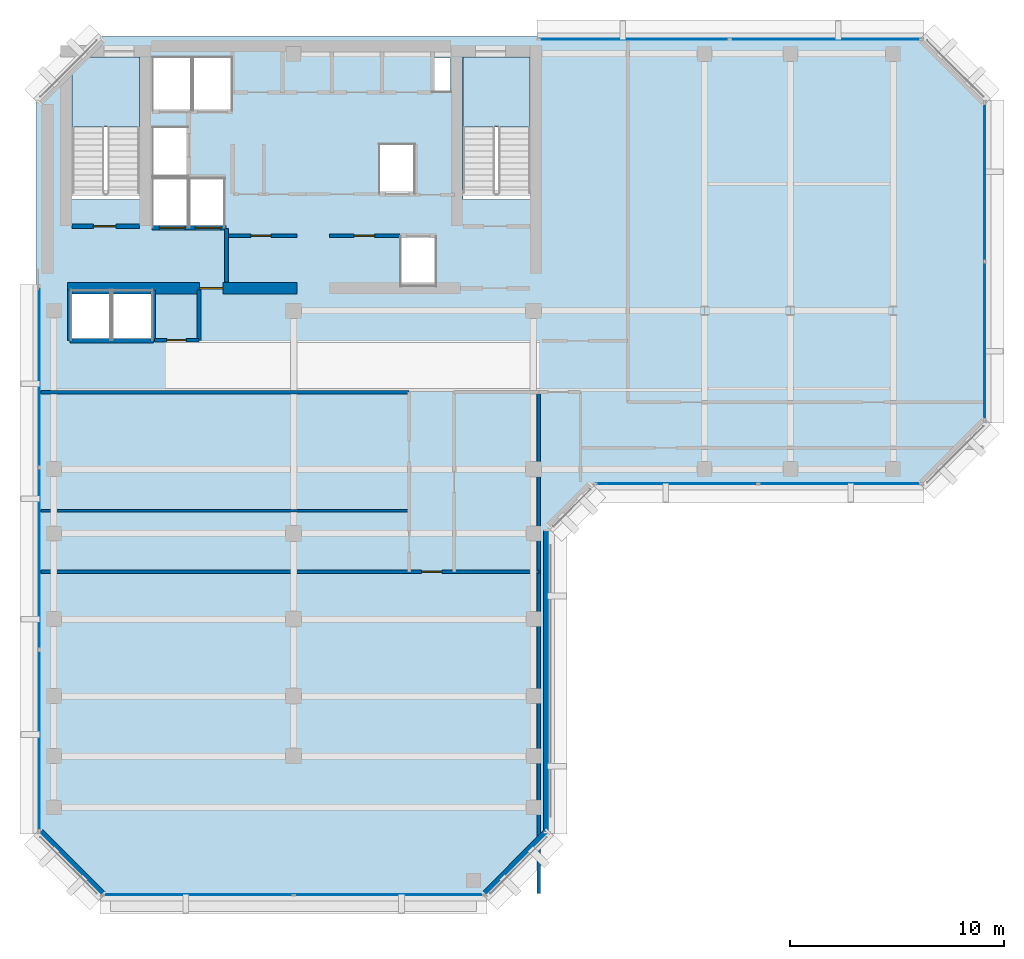
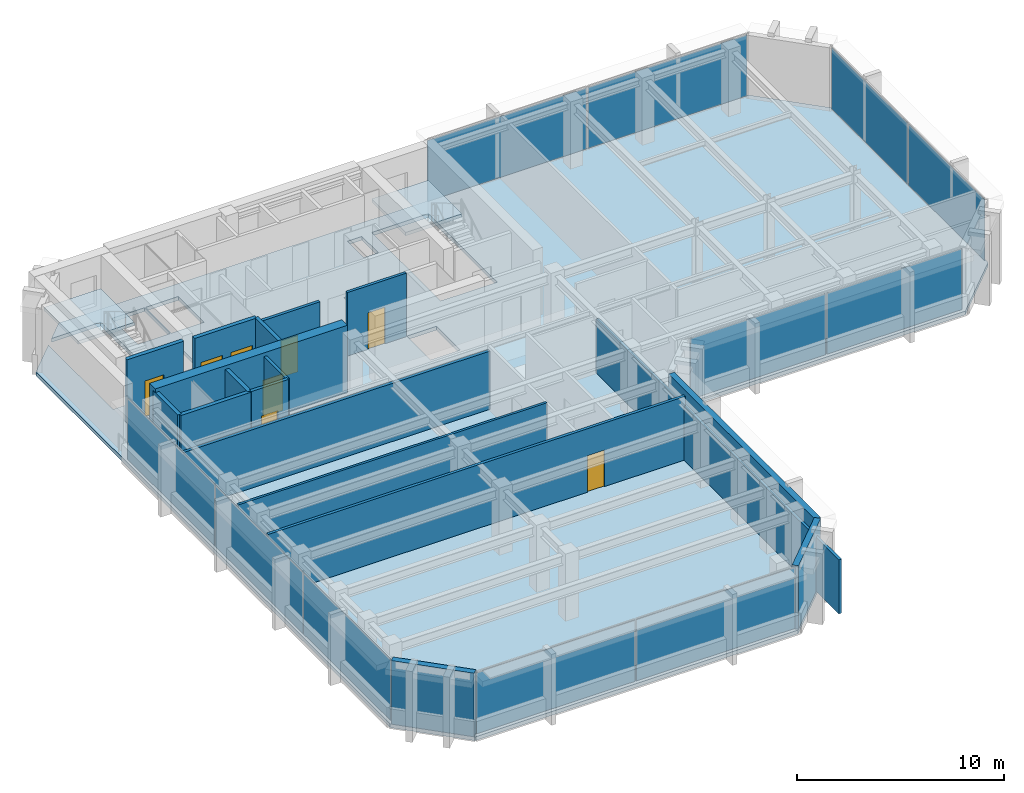
# One storey, part 6 of 11: 18 walls, 11 plates, 8 doors, 3 slabs, 8 openings, 7 elements without a shape of their own.
"""IFC4 building model written with IfcOpenShell, lengths in metres."""

from ifc_helpers import new_model, si_unit, direction, frame, frame_2d, origin, origin_2d, place, context, subcontext, project, spatial, polyline, rectangle, outline, extrude, material, layer, layer_set, type_object, element, fill, aggregate, save


model = new_model("IFC4")

# Units and contexts
model_context = context("Model", 3, precision=1e-05, world=origin(), true_north=direction((0.0, 1.0)))
body_context = subcontext(model_context, "Body", "Model", "MODEL_VIEW")
ifc_project = project(units=[si_unit("LENGTHUNIT", "METRE"), si_unit("AREAUNIT", "SQUARE_METRE"), si_unit("VOLUMEUNIT", "CUBIC_METRE"), si_unit("PLANEANGLEUNIT", "RADIAN"), si_unit("MASSUNIT", "GRAM", prefix="KILO")], contexts=[model_context])

# Site, building, storey
site_placement = place(None, origin())
site = spatial("IfcSite", under=ifc_project, at=site_placement, CompositionType="ELEMENT")
building_placement = place(site_placement, origin())
building = spatial("IfcBuilding", under=site, at=building_placement, Name="Kefirva Bronze Tower", CompositionType="ELEMENT")
storey_placement = place(building_placement, frame((0.0, 0.0, 319.77001953125)))
storey = spatial("IfcBuildingStorey", under=building, at=storey_placement, Name="L78", CompositionType="ELEMENT", Elevation=319.77001953125)

# Stair, slab
ifc_material_1 = material(Name="Concrete C40/50", Category="concrete")
stair_type = type_object("IfcStairType", Name="RC Dogleg Protected Stair 24R", PredefinedType="HALF_TURN_STAIR", material=ifc_material_1)
stair_1_placement = place(storey_placement, origin())
stair_1 = element("IfcStair", 1, at=stair_1_placement, inside=storey, type_object=stair_type, Name="L78 Protected Exit Stair 1", PredefinedType="HALF_TURN_STAIR")
ifc_layer_1 = layer(ifc_material_1, 0.199951171875, Name="Concrete C40/50")
ifc_layer_set_1 = layer_set([ifc_layer_1], Name="Concrete C40/50")
slab_type_1 = type_object("IfcSlabType", Name="RC Stair Landing Slab 200mm", PredefinedType="LANDING", material=ifc_layer_set_1)
slab_1_placement = place(storey_placement, frame((0.0, 0.0, 1.780029296875)))
slab_1 = element("IfcSlab", 2, at=slab_1_placement, type_object=slab_type_1, Name="ST-1 landing 1", PredefinedType="LANDING", context=body_context, shape_type="SweptSolid", body=[
    extrude(outline(polyline([(4.800048828125, 41.780029296875), (4.800048828125, 45.050048828125), (1.64990234375, 45.050048828125), (1.64990234375, 41.780029296875), (4.800048828125, 41.780029296875)])), origin(), (0.0, 0.0, 1.0), 0.199951171875),
])
aggregate(stair_1, [slab_1])

stair_2_placement = place(storey_placement, origin())
stair_2 = element("IfcStair", 3, at=stair_2_placement, inside=storey, type_object=stair_type, Name="L78 Protected Exit Stair 2", PredefinedType="HALF_TURN_STAIR")
slab_2_placement = place(storey_placement, frame((0.0, 0.0, 1.780029296875)))
slab_2 = element("IfcSlab", 4, at=slab_2_placement, type_object=slab_type_1, Name="ST-2 landing 1", PredefinedType="LANDING", context=body_context, shape_type="SweptSolid", body=[
    extrude(outline(polyline([(23.050048828125, 41.780029296875), (23.050048828125, 45.050048828125), (19.89990234375, 45.050048828125), (19.89990234375, 41.780029296875), (23.050048828125, 41.780029296875)])), origin(), (0.0, 0.0, 1.0), 0.199951171875),
])
aggregate(stair_2, [slab_2])

# Slab
ifc_layer_2 = layer(ifc_material_1, 0.219970703125, Name="Concrete C40/50")
ifc_layer_set_2 = layer_set([ifc_layer_2], Name="Concrete C40/50")
slab_type_2 = type_object("IfcSlabType", Name="RC Upper Floor Slab 220mm", PredefinedType="FLOOR", material=ifc_layer_set_2)
slab_3_placement = place(storey_placement, frame((0.0, 0.0, -0.219970703125)))
element("IfcSlab", 5, at=slab_3_placement, inside=storey, type_object=slab_type_2, Name="L78 Structural Floor Slab", PredefinedType="FLOOR", context=body_context, shape_type="SweptSolid", body=[
    extrude(outline(polyline([(0.0, 8.800048828125), (0.0, 43.0), (1.64990234375, 44.64990234375), (1.64990234375, 38.39990234375), (4.800048828125, 38.39990234375), (4.800048828125, 45.050048828125), (2.050048828125, 45.050048828125), (3.0, 46.0), (41.39990234375, 46.0), (44.39990234375, 43.0), (44.39990234375, 28.0), (41.39990234375, 25.0), (26.0, 25.0), (24.0, 23.0), (24.0, 8.800048828125), (21.0, 5.800048828125), (3.0, 5.800048828125), (0.0, 8.800048828125)]), holes=[polyline([(23.050048828125, 45.050048828125), (19.89990234375, 45.050048828125), (19.89990234375, 38.39990234375), (23.050048828125, 38.39990234375), (23.050048828125, 45.050048828125)]), polyline([(19.320068359375, 43.419921875), (19.320068359375, 45.0), (18.52001953125, 45.0), (18.52001953125, 43.419921875), (19.320068359375, 43.419921875)]), polyline([(18.64990234375, 36.64990234375), (17.0, 36.64990234375), (17.0, 34.35009765625), (18.64990234375, 34.35009765625), (18.64990234375, 36.64990234375)]), polyline([(17.64990234375, 38.679931640625), (17.64990234375, 40.97998046875), (16.0, 40.97998046875), (16.0, 38.679931640625), (17.64990234375, 38.679931640625)]), polyline([(9.1201171875, 42.550048828125), (9.1201171875, 45.050048828125), (7.300048828125, 45.050048828125), (7.300048828125, 42.550048828125), (9.1201171875, 42.550048828125)]), polyline([(8.780029296875, 37.10009765625), (8.780029296875, 39.39990234375), (7.139892578125, 39.39990234375), (7.139892578125, 37.10009765625), (8.780029296875, 37.10009765625)]), polyline([(7.239990234375, 42.550048828125), (7.239990234375, 45.050048828125), (5.419921875, 45.050048828125), (5.419921875, 42.550048828125), (7.239990234375, 42.550048828125)]), polyline([(7.06005859375, 37.10009765625), (7.06005859375, 39.39990234375), (5.419921875, 39.39990234375), (5.419921875, 37.10009765625), (7.06005859375, 37.10009765625)]), polyline([(7.06005859375, 41.780029296875), (5.419921875, 41.780029296875), (5.419921875, 39.47998046875), (7.06005859375, 39.47998046875), (7.06005859375, 41.780029296875)]), polyline([(5.39990234375, 31.85009765625), (5.39990234375, 34.14990234375), (3.550048828125, 34.14990234375), (3.550048828125, 31.85009765625), (5.39990234375, 31.85009765625)]), polyline([(3.449951171875, 34.14990234375), (1.60009765625, 34.14990234375), (1.60009765625, 31.85009765625), (3.449951171875, 31.85009765625), (3.449951171875, 34.14990234375)])]), origin(), (0.0, 0.0, 1.0), 0.219970703125),
])

# Curtain wall, plates
ifc_material_2 = material(Name="Bronze anodised aluminium", Category="aluminium")
ifc_layer_3 = layer(ifc_material_2, 0.179931640625, Name="Bronze anodised aluminium")
ifc_layer_set_3 = layer_set([ifc_layer_3], Name="Bronze anodised aluminium")
curtain_wall_type = type_object("IfcCurtainWallType", Name="Unitised Bronze Ribbon Curtain Wall Zone 4", PredefinedType="USERDEFINED", material=ifc_layer_set_3)
curtain_wall_1_placement = place(storey_placement, origin())
curtain_wall_1 = element("IfcCurtainWall", 6, at=curtain_wall_1_placement, inside=storey, type_object=curtain_wall_type, Name="L78 Curtain Wall 1", ObjectType="UNITISED CURTAIN WALL", PredefinedType="USERDEFINED")
ifc_material_3 = material(Name="Laminated low-E double glazing", Category="glass")
ifc_layer_4 = layer(ifc_material_3, 0.031982421875, Name="Laminated low-E double glazing")
ifc_layer_set_4 = layer_set([ifc_layer_4], Name="Laminated low-E double glazing")
plate_type = type_object("IfcPlateType", Name="Solar-Control Low-E Vision Panel 32mm", PredefinedType="CURTAIN_PANEL", material=ifc_layer_set_4)
plate_1_placement = place(storey_placement, frame((7.546142578125, 5.919921875, 0.07470703125), z_axis=(0.0, 0.0, 1.0), x_axis=(1.0, 0.0, 0.0)))
plate_1 = element("IfcPlate", 7, at=plate_1_placement, type_object=plate_type, Name="CW-04 panel 1.1", PredefinedType="CURTAIN_PANEL", context=body_context, shape_type="SweptSolid", body=[
    extrude(rectangle(XDim=8.83251953125, YDim=0.031982421875, at=origin_2d()), origin(), (0.0, 0.0, 1.0), 3.590087890625),
])
plate_2_placement = place(storey_placement, frame((16.453857421875, 5.919921875, 0.07470703125), z_axis=(0.0, 0.0, 1.0), x_axis=(1.0, 0.0, 0.0)))
plate_2 = element("IfcPlate", 8, at=plate_2_placement, type_object=plate_type, Name="CW-04 panel 2.1", PredefinedType="CURTAIN_PANEL", context=body_context, shape_type="SweptSolid", body=[
    extrude(rectangle(XDim=8.83251953125, YDim=0.031982421875, at=origin_2d()), origin(), (0.0, 0.0, 1.0), 3.590087890625),
])
aggregate(curtain_wall_1, [plate_1, plate_2])

curtain_wall_2_placement = place(storey_placement, origin())
curtain_wall_2 = element("IfcCurtainWall", 9, at=curtain_wall_2_placement, inside=storey, type_object=curtain_wall_type, Name="L78 Curtain Wall 2", ObjectType="UNITISED CURTAIN WALL", PredefinedType="USERDEFINED")
plate_3_placement = place(storey_placement, frame((29.896240234375, 25.1201171875, 0.07470703125), z_axis=(0.0, 0.0, 1.0), x_axis=(1.0, 0.0, 0.0)))
plate_3 = element("IfcPlate", 10, at=plate_3_placement, type_object=plate_type, Name="CW-04 panel 1.1", PredefinedType="CURTAIN_PANEL", context=body_context, shape_type="SweptSolid", body=[
    extrude(rectangle(XDim=7.532470703125, YDim=0.031982421875, at=origin_2d()), origin(), (0.0, 0.0, 1.0), 3.590087890625),
])
plate_4_placement = place(storey_placement, frame((37.503662109375, 25.1201171875, 0.07470703125), z_axis=(0.0, 0.0, 1.0), x_axis=(1.0, 0.0, 0.0)))
plate_4 = element("IfcPlate", 11, at=plate_4_placement, type_object=plate_type, Name="CW-04 panel 2.1", PredefinedType="CURTAIN_PANEL", context=body_context, shape_type="SweptSolid", body=[
    extrude(rectangle(XDim=7.532470703125, YDim=0.031982421875, at=origin_2d()), origin(), (0.0, 0.0, 1.0), 3.590087890625),
])
aggregate(curtain_wall_2, [plate_3, plate_4])

curtain_wall_3_placement = place(storey_placement, origin())
curtain_wall_3 = element("IfcCurtainWall", 12, at=curtain_wall_3_placement, inside=storey, type_object=curtain_wall_type, Name="L78 Curtain Wall 3", ObjectType="UNITISED CURTAIN WALL", PredefinedType="USERDEFINED")
plate_5_placement = place(storey_placement, frame((44.280029296875, 31.796142578125, 0.07470703125), z_axis=(0.0, 0.0, 1.0), x_axis=(0.0, 1.0, 0.0)))
plate_5 = element("IfcPlate", 13, at=plate_5_placement, type_object=plate_type, Name="CW-04 panel 1.1", PredefinedType="CURTAIN_PANEL", context=body_context, shape_type="SweptSolid", body=[
    extrude(rectangle(XDim=7.33251953125, YDim=0.031982421875, at=origin_2d()), origin(), (0.0, 0.0, 1.0), 3.590087890625),
])
plate_6_placement = place(storey_placement, frame((44.280029296875, 39.203857421875, 0.07470703125), z_axis=(0.0, 0.0, 1.0), x_axis=(0.0, 1.0, 0.0)))
plate_6 = element("IfcPlate", 14, at=plate_6_placement, type_object=plate_type, Name="CW-04 panel 2.1", PredefinedType="CURTAIN_PANEL", context=body_context, shape_type="SweptSolid", body=[
    extrude(rectangle(XDim=7.33251953125, YDim=0.031982421875, at=origin_2d()), origin(), (0.0, 0.0, 1.0), 3.590087890625),
])
aggregate(curtain_wall_3, [plate_5, plate_6])

curtain_wall_4_placement = place(storey_placement, origin())
curtain_wall_4 = element("IfcCurtainWall", 15, at=curtain_wall_4_placement, inside=storey, type_object=curtain_wall_type, Name="L78 Curtain Wall 4", ObjectType="UNITISED CURTAIN WALL", PredefinedType="USERDEFINED")
plate_7_placement = place(storey_placement, frame((36.84130859375, 45.8798828125, 0.07470703125), z_axis=(0.0, 0.0, 1.0), x_axis=(-1.0, 0.0, 0.0)))
plate_7 = element("IfcPlate", 16, at=plate_7_placement, type_object=plate_type, Name="CW-04 panel 1.1", PredefinedType="CURTAIN_PANEL", context=body_context, shape_type="SweptSolid", body=[
    extrude(rectangle(XDim=8.857421875, YDim=0.031982421875, at=origin_2d()), origin(), (0.0, 0.0, 1.0), 3.590087890625),
])
plate_8_placement = place(storey_placement, frame((27.90869140625, 45.8798828125, 0.07470703125), z_axis=(0.0, 0.0, 1.0), x_axis=(-1.0, 0.0, 0.0)))
plate_8 = element("IfcPlate", 17, at=plate_8_placement, type_object=plate_type, Name="CW-04 panel 2.1", PredefinedType="CURTAIN_PANEL", context=body_context, shape_type="SweptSolid", body=[
    extrude(rectangle(XDim=8.857421875, YDim=0.031982421875, at=origin_2d()), origin(), (0.0, 0.0, 1.0), 3.590087890625),
])
aggregate(curtain_wall_4, [plate_7, plate_8])

curtain_wall_5_placement = place(storey_placement, origin())
curtain_wall_5 = element("IfcCurtainWall", 18, at=curtain_wall_5_placement, inside=storey, type_object=curtain_wall_type, Name="L78 Curtain Wall 5", ObjectType="UNITISED CURTAIN WALL", PredefinedType="USERDEFINED")
plate_9_placement = place(storey_placement, frame((0.1201171875, 30.11962890625, 0.07470703125), z_axis=(0.0, 0.0, 1.0), x_axis=(0.0, -1.0, 0.0)))
plate_9 = element("IfcPlate", 19, at=plate_9_placement, type_object=plate_type, Name="CW-04 panel 1.1", PredefinedType="CURTAIN_PANEL", context=body_context, shape_type="SweptSolid", body=[
    extrude(rectangle(XDim=8.40087890625, YDim=0.031982421875, at=origin_2d()), origin(), (0.0, 0.0, 1.0), 3.590087890625),
])
plate_10_placement = place(storey_placement, frame((0.1201171875, 21.625, 0.07470703125), z_axis=(0.0, 0.0, 1.0), x_axis=(0.0, -1.0, 0.0)))
plate_10 = element("IfcPlate", 20, at=plate_10_placement, type_object=plate_type, Name="CW-04 panel 2.1", PredefinedType="CURTAIN_PANEL", context=body_context, shape_type="SweptSolid", body=[
    extrude(rectangle(XDim=8.438232421875, YDim=0.031982421875, at=origin_2d()), origin(), (0.0, 0.0, 1.0), 3.590087890625),
])
plate_11_placement = place(storey_placement, frame((0.1201171875, 13.13037109375, 0.07470703125), z_axis=(0.0, 0.0, 1.0), x_axis=(0.0, -1.0, 0.0)))
plate_11 = element("IfcPlate", 21, at=plate_11_placement, type_object=plate_type, Name="CW-04 panel 3.1", PredefinedType="CURTAIN_PANEL", context=body_context, shape_type="SweptSolid", body=[
    extrude(rectangle(XDim=8.40087890625, YDim=0.031982421875, at=origin_2d()), origin(), (0.0, 0.0, 1.0), 3.590087890625),
])
aggregate(curtain_wall_5, [plate_9, plate_10, plate_11])

# Wall
ifc_material_4 = material(Name="Gypsum acoustic partition")
ifc_layer_5 = layer(ifc_material_4, 0.1298828125, Name="Gypsum acoustic partition")
ifc_layer_set_5 = layer_set([ifc_layer_5], Name="Gypsum acoustic partition")
wall_type_1 = type_object("IfcWallType", Name="Acoustic Office Partition 130mm", PredefinedType="PARTITIONING", material=ifc_layer_set_5)
wall_1_placement = place(storey_placement, frame((0.18994140625, 23.85595703125, 0.0), z_axis=(0.0, 0.0, 1.0), x_axis=(1.0, 0.0, 0.0)))
element("IfcWall", 22, at=wall_1_placement, inside=storey, type_object=wall_type_1, Name="L78 Partition W-L78-SWD1", PredefinedType="PARTITIONING", context=body_context, shape_type="SweptSolid", body=[
    extrude(rectangle(XDim=17.2099609375, YDim=0.1298828125, at=frame_2d((8.60498046875, 0.0))), origin(), (0.0, 0.0, 1.0), 3.739990234375),
])

# Wall, opening, door
ifc_layer_6 = layer(ifc_material_4, 0.14990234375, Name="Gypsum acoustic partition")
ifc_layer_set_6 = layer_set([ifc_layer_6], Name="Gypsum acoustic partition")
wall_type_2 = type_object("IfcWallType", Name="Executive Suite Partition 150mm", PredefinedType="PARTITIONING", material=ifc_layer_set_6)
wall_2_placement = place(storey_placement, frame((13.679931640625, 36.699951171875, 0.0), z_axis=(0.0, 0.0, 1.0), x_axis=(1.0, 0.0, 0.0)))
wall_2 = element("IfcWall", 23, at=wall_2_placement, inside=storey, type_object=wall_type_2, Name="L78 Partition W-L78-RECMP1", PredefinedType="PARTITIONING", context=body_context, shape_type="SweptSolid", body=[
    extrude(rectangle(XDim=3.280029296875, YDim=0.14990234375, at=frame_2d((1.64013671875, 0.0))), origin(), (0.0, 0.0, 1.0), 3.739990234375),
])
opening_1_placement = place(wall_2_placement, frame((1.14990234375, 0.0, 0.0)))
opening_1 = element("IfcOpeningElement", 24, at=opening_1_placement, cuts=wall_2, Name="Opening L78-D-RECMP1", PredefinedType="OPENING", context=body_context, shape_type="SweptSolid", body=[
    extrude(rectangle(XDim=0.949951171875, YDim=2.14990234375, at=frame_2d((0.47509765625, 1.074951171875))), frame((0.0, 0.0849609375, 0.0), z_axis=(0.0, -1.0, 0.0), x_axis=(1.0, 0.0, 0.0)), (0.0, 0.0, 1.0), 0.169921875),
])
ifc_material_5 = material(Name="Acoustic hardwood oak", Category="wood")
door_type_1 = type_object("IfcDoorType", Name="Office & Meeting Room Door 950x2150", OperationType="NOTDEFINED", PredefinedType="DOOR", material=ifc_material_5)
door_1_placement = place(opening_1_placement, origin())
door_1 = element("IfcDoor", 25, at=door_1_placement, inside=storey, type_object=door_type_1, Name="Door L78-D-RECMP1", OperationType="SINGLE_SWING_LEFT", OverallHeight=2.14990234375, OverallWidth=0.949951171875, PredefinedType="DOOR", context=body_context, shape_type="SweptSolid", body=[
    extrude(rectangle(XDim=0.949951171875, YDim=2.14990234375, at=frame_2d((0.47509765625, 1.074951171875))), frame((0.0, 0.02490234375, 0.0), z_axis=(0.0, -1.0, 0.0), x_axis=(1.0, 0.0, 0.0)), (0.0, 0.0, 1.0), 0.050048828125),
])
fill(opening_1, door_1)

ifc_material_6 = material(Name="Gypsum fireboard shaftwall")
ifc_layer_7 = layer(ifc_material_6, 0.219970703125, Name="Gypsum fireboard shaftwall")
ifc_layer_set_7 = layer_set([ifc_layer_7], Name="Gypsum fireboard shaftwall")
wall_type_3 = type_object("IfcWallType", Name="Fire-Rated Shaft Enclosure Wall 220mm", PredefinedType="PARTITIONING", material=ifc_layer_set_7)
wall_3_placement = place(storey_placement, frame((1.64990234375, 37.14990234375, 0.0), z_axis=(0.0, 0.0, 1.0), x_axis=(1.0, 0.0, 0.0)))
wall_3 = element("IfcWall", 26, at=wall_3_placement, inside=storey, type_object=wall_type_3, Name="L78 Partition W-L78-ST1S", PredefinedType="PARTITIONING", context=body_context, shape_type="SweptSolid", body=[
    extrude(rectangle(XDim=3.150146484375, YDim=0.219970703125, at=frame_2d((1.5751953125, 0.0))), origin(), (0.0, 0.0, 1.0), 3.739990234375),
])
opening_2_placement = place(wall_3_placement, frame((2.050048828125, 0.0, 0.0), z_axis=(0.0, 0.0, 1.0), x_axis=(-1.0, 0.0, 0.0)))
opening_2 = element("IfcOpeningElement", 27, at=opening_2_placement, cuts=wall_3, Name="Opening L78-D001", PredefinedType="OPENING", context=body_context, shape_type="SweptSolid", body=[
    extrude(rectangle(XDim=1.050048828125, YDim=2.14990234375, at=frame_2d((0.52490234375, 1.074951171875))), frame((0.0, 0.1201171875, 0.0), z_axis=(0.0, -1.0, 0.0), x_axis=(1.0, 0.0, 0.0)), (0.0, 0.0, 1.0), 0.239990234375),
])
ifc_material_7 = material(Name="Painted galvanized steel", Category="steel")
door_type_2 = type_object("IfcDoorType", Name="Fire Stair Enclosure Door 1050x2150 FD90S", OperationType="NOTDEFINED", PredefinedType="DOOR", material=ifc_material_7)
door_2_placement = place(opening_2_placement, origin())
door_2 = element("IfcDoor", 28, at=door_2_placement, inside=storey, type_object=door_type_2, Name="Door L78-D001", OperationType="SINGLE_SWING_RIGHT", OverallHeight=2.14990234375, OverallWidth=1.050048828125, PredefinedType="DOOR", context=body_context, shape_type="SweptSolid", body=[
    extrude(rectangle(XDim=1.050048828125, YDim=2.14990234375, at=frame_2d((0.52490234375, 1.074951171875))), frame((0.0, 0.02490234375, 0.0), z_axis=(0.0, -1.0, 0.0), x_axis=(1.0, 0.0, 0.0)), (0.0, 0.0, 1.0), 0.050048828125),
])
fill(opening_2, door_2)

# Wall, openings, doors
wall_4_placement = place(storey_placement, frame((5.3798828125, 37.080078125, 0.0), z_axis=(0.0, 0.0, 1.0), x_axis=(1.0, 0.0, 0.0)))
wall_4 = element("IfcWall", 29, at=wall_4_placement, inside=storey, type_object=wall_type_3, Name="L78 Partition W-L78-FFS", PredefinedType="PARTITIONING", context=body_context, shape_type="SweptSolid", body=[
    extrude(rectangle(XDim=3.460205078125, YDim=0.219970703125, at=frame_2d((1.72998046875, 0.0))), origin(), (0.0, 0.0, 1.0), 3.739990234375),
])
opening_3_placement = place(wall_4_placement, frame((1.550048828125, 0.0, 0.0), z_axis=(0.0, 0.0, 1.0), x_axis=(-1.0, 0.0, 0.0)))
opening_3 = element("IfcOpeningElement", 30, at=opening_3_placement, cuts=wall_4, Name="Opening L78-LD-FF1", PredefinedType="OPENING", context=body_context, shape_type="SweptSolid", body=[
    extrude(rectangle(XDim=1.199951171875, YDim=2.199951171875, at=frame_2d((0.60009765625, 1.10009765625))), frame((0.0, 0.1201171875, 0.0), z_axis=(0.0, -1.0, 0.0), x_axis=(1.0, 0.0, 0.0)), (0.0, 0.0, 1.0), 0.239990234375),
])
opening_4_placement = place(wall_4_placement, frame((3.219970703125, 0.0, 0.0), z_axis=(0.0, 0.0, 1.0), x_axis=(-1.0, 0.0, 0.0)))
opening_4 = element("IfcOpeningElement", 31, at=opening_4_placement, cuts=wall_4, Name="Opening L78-LD-FF2", PredefinedType="OPENING", context=body_context, shape_type="SweptSolid", body=[
    extrude(rectangle(XDim=1.199951171875, YDim=2.199951171875, at=frame_2d((0.60009765625, 1.10009765625))), frame((0.0, 0.1201171875, 0.0), z_axis=(0.0, -1.0, 0.0), x_axis=(1.0, 0.0, 0.0)), (0.0, 0.0, 1.0), 0.239990234375),
])
ifc_material_8 = material(Name="Stainless steel 316", Category="steel")
door_type_3 = type_object("IfcDoorType", Name="Firefighting Lift Sliding Door 1200x2200", OperationType="SLIDING_TO_RIGHT", PredefinedType="DOOR", material=ifc_material_8)
door_3_placement = place(opening_3_placement, origin())
door_3 = element("IfcDoor", 32, at=door_3_placement, inside=storey, type_object=door_type_3, Name="Door L78-LD-FF1", OperationType="SLIDING_TO_RIGHT", OverallHeight=2.199951171875, OverallWidth=1.199951171875, PredefinedType="DOOR", context=body_context, shape_type="SweptSolid", body=[
    extrude(rectangle(XDim=1.199951171875, YDim=2.199951171875, at=frame_2d((0.60009765625, 1.10009765625))), frame((0.0, 0.02490234375, 0.0), z_axis=(0.0, -1.0, 0.0), x_axis=(1.0, 0.0, 0.0)), (0.0, 0.0, 1.0), 0.050048828125),
])
fill(opening_3, door_3)
door_4_placement = place(opening_4_placement, origin())
door_4 = element("IfcDoor", 33, at=door_4_placement, inside=storey, type_object=door_type_3, Name="Door L78-LD-FF2", OperationType="SLIDING_TO_RIGHT", OverallHeight=2.199951171875, OverallWidth=1.199951171875, PredefinedType="DOOR", context=body_context, shape_type="SweptSolid", body=[
    extrude(rectangle(XDim=1.199951171875, YDim=2.199951171875, at=frame_2d((0.60009765625, 1.10009765625))), frame((0.0, 0.02490234375, 0.0), z_axis=(0.0, -1.0, 0.0), x_axis=(1.0, 0.0, 0.0)), (0.0, 0.0, 1.0), 0.050048828125),
])
fill(opening_4, door_4)

# Walls
wall_5_placement = place(storey_placement, frame((1.550048828125, 31.800048828125, 0.0), z_axis=(0.0, 0.0, 1.0), x_axis=(1.0, 0.0, 0.0)))
element("IfcWall", 34, at=wall_5_placement, inside=storey, type_object=wall_type_3, Name="L78 Partition W-L78-OBS", PredefinedType="PARTITIONING", context=body_context, shape_type="SweptSolid", body=[
    extrude(rectangle(XDim=3.89990234375, YDim=0.219970703125, at=frame_2d((1.949951171875, 0.0))), origin(), (0.0, 0.0, 1.0), 3.739990234375),
])
for number, where, z_axis, x_axis, name in (
    (35, (1.550048828125, 31.800048828125, 0.0), (0.0, 0.0, 1.0), (0.0, 1.0, 0.0), "L78 Partition W-L78-OBW"),
    (36, (5.449951171875, 31.800048828125, 0.0), (0.0, 0.0, 1.0), (0.0, 1.0, 0.0), "L78 Partition W-L78-OBE"),
):
    element("IfcWall", number, at=place(storey_placement, frame(where, z_axis=z_axis, x_axis=x_axis)), inside=storey, type_object=wall_type_3, Name=name, PredefinedType="PARTITIONING", context=body_context, shape_type="SweptSolid", body=[
        extrude(rectangle(XDim=2.3798828125, YDim=0.219970703125, at=frame_2d((1.18994140625, 0.0))), origin(), (0.0, 0.0, 1.0), 3.739990234375),
    ])
ifc_material_9 = material(Name="Gypsum fireboard barrier")
ifc_layer_8 = layer(ifc_material_9, 0.199951171875, Name="Gypsum fireboard barrier")
ifc_layer_set_8 = layer_set([ifc_layer_8], Name="Gypsum fireboard barrier")
wall_type_4 = type_object("IfcWallType", Name="Firefighting Lobby Barrier Wall 200mm", PredefinedType="PARTITIONING", material=ifc_layer_set_8)
wall_6_placement = place(storey_placement, frame((8.860107421875, 34.550048828125, 0.0), z_axis=(0.0, 0.0, 1.0), x_axis=(0.0, 1.0, 0.0)))
element("IfcWall", 37, at=wall_6_placement, inside=storey, type_object=wall_type_4, Name="L78 Partition W-L78-FFLE", PredefinedType="PARTITIONING", context=body_context, shape_type="SweptSolid", body=[
    extrude(rectangle(XDim=2.5, YDim=0.199951171875, at=frame_2d((1.25, 0.0))), origin(), (0.0, 0.0, 1.0), 3.739990234375),
])
ifc_material_10 = material(Name="Precast concrete C40/50", Category="concrete")
ifc_layer_9 = layer(ifc_material_10, 0.320068359375, Name="Precast concrete C40/50")
ifc_layer_set_9 = layer_set([ifc_layer_9], Name="Precast concrete C40/50")
wall_type_5 = type_object("IfcWallType", Name="Precast Insulated Exterior Wall 320mm", PredefinedType="SOLIDWALL", material=ifc_layer_set_9)
wall_7_placement = place(storey_placement, frame((20.92578125, 5.951904296875, 0.0), z_axis=(0.0, 0.0, 1.0), x_axis=(0.707077242712, 0.707136318428, 0.0)))
element("IfcWall", 38, at=wall_7_placement, inside=storey, type_object=wall_type_5, Name="L78 Exterior Facade Wall 1", PredefinedType="SOLIDWALL", context=body_context, shape_type="SweptSolid", body=[
    extrude(rectangle(XDim=4.132568359375, YDim=0.320068359375, at=frame_2d((2.06640625, 0.0))), origin(), (0.0, 0.0, 1.0), 3.739990234375),
])
wall_8_placement = place(storey_placement, frame((23.840087890625, 8.85498046875, 0.0), z_axis=(0.0, 0.0, 1.0), x_axis=(0.0, 1.0, 0.0)))
element("IfcWall", 39, at=wall_8_placement, inside=storey, type_object=wall_type_5, Name="L78 Exterior Facade Wall 2", PredefinedType="SOLIDWALL", context=body_context, shape_type="SweptSolid", body=[
    extrude(rectangle(XDim=14.090087890625, YDim=0.320068359375, at=frame_2d((7.044921875, 0.0))), origin(), (0.0, 0.0, 1.0), 3.739990234375),
])
wall_9_placement = place(storey_placement, frame((0.152099609375, 8.874267578125, 0.0), z_axis=(0.0, 0.0, 1.0), x_axis=(0.707077242712, -0.707136318428, 0.0)))
element("IfcWall", 40, at=wall_9_placement, inside=storey, type_object=wall_type_5, Name="L78 Exterior Facade Wall 7", PredefinedType="SOLIDWALL", context=body_context, shape_type="SweptSolid", body=[
    extrude(rectangle(XDim=4.132568359375, YDim=0.320068359375, at=frame_2d((2.06640625, 0.0))), origin(), (0.0, 0.0, 1.0), 3.739990234375),
])

# Wall, opening, door
ifc_layer_10 = layer(ifc_material_4, 0.159912109375, Name="Gypsum acoustic partition")
ifc_layer_set_10 = layer_set([ifc_layer_10], Name="Gypsum acoustic partition")
wall_type_6 = type_object("IfcWallType", Name="Protected Corridor Partition 160mm", PredefinedType="PARTITIONING", material=ifc_layer_set_10)
wall_10_placement = place(storey_placement, frame((8.89990234375, 36.699951171875, 0.0), z_axis=(0.0, 0.0, 1.0), x_axis=(1.0, 0.0, 0.0)))
wall_10 = element("IfcWall", 41, at=wall_10_placement, inside=storey, type_object=wall_type_6, Name="L78 Partition W-L78-RECLP1", PredefinedType="PARTITIONING", context=body_context, shape_type="SweptSolid", body=[
    extrude(rectangle(XDim=3.25, YDim=0.159912109375, at=frame_2d((1.625, 0.0))), origin(), (0.0, 0.0, 1.0), 3.739990234375),
])
opening_5_placement = place(wall_10_placement, frame((1.10009765625, 0.0, 0.0)))
opening_5 = element("IfcOpeningElement", 42, at=opening_5_placement, cuts=wall_10, Name="Opening L78-D-RECLP1", PredefinedType="OPENING", context=body_context, shape_type="SweptSolid", body=[
    extrude(rectangle(XDim=0.949951171875, YDim=2.14990234375, at=frame_2d((0.47509765625, 1.074951171875))), frame((0.0, 0.08984375, 0.0), z_axis=(0.0, -1.0, 0.0), x_axis=(1.0, 0.0, 0.0)), (0.0, 0.0, 1.0), 0.179931640625),
])
door_5_placement = place(opening_5_placement, origin())
door_5 = element("IfcDoor", 43, at=door_5_placement, inside=storey, type_object=door_type_1, Name="Door L78-D-RECLP1", OperationType="SINGLE_SWING_RIGHT", OverallHeight=2.14990234375, OverallWidth=0.949951171875, PredefinedType="DOOR", context=body_context, shape_type="SweptSolid", body=[
    extrude(rectangle(XDim=0.949951171875, YDim=2.14990234375, at=frame_2d((0.47509765625, 1.074951171875))), frame((0.0, 0.02490234375, 0.0), z_axis=(0.0, -1.0, 0.0), x_axis=(1.0, 0.0, 0.0)), (0.0, 0.0, 1.0), 0.050048828125),
])
fill(opening_5, door_5)

wall_11_placement = place(storey_placement, frame((0.18994140625, 21.0, 0.0), z_axis=(0.0, 0.0, 1.0), x_axis=(1.0, 0.0, 0.0)))
wall_11 = element("IfcWall", 44, at=wall_11_placement, inside=storey, type_object=wall_type_6, Name="L78 Partition W-L78-SBEND", PredefinedType="PARTITIONING", context=body_context, shape_type="SweptSolid", body=[
    extrude(rectangle(XDim=23.260009765625, YDim=0.159912109375, at=frame_2d((11.6298828125, 0.0))), origin(), (0.0, 0.0, 1.0), 3.739990234375),
])
opening_6_placement = place(wall_11_placement, frame((17.7900390625, 0.0, 0.0)))
opening_6 = element("IfcOpeningElement", 45, at=opening_6_placement, cuts=wall_11, Name="Opening L78-D-SEND1", PredefinedType="OPENING", context=body_context, shape_type="SweptSolid", body=[
    extrude(rectangle(XDim=0.949951171875, YDim=2.14990234375, at=frame_2d((0.47509765625, 1.074951171875))), frame((0.0, 0.08984375, 0.0), z_axis=(0.0, -1.0, 0.0), x_axis=(1.0, 0.0, 0.0)), (0.0, 0.0, 1.0), 0.179931640625),
])
door_6_placement = place(opening_6_placement, origin())
door_6 = element("IfcDoor", 46, at=door_6_placement, inside=storey, type_object=door_type_1, Name="Door L78-D-SEND1", OperationType="SINGLE_SWING_LEFT", OverallHeight=2.14990234375, OverallWidth=0.949951171875, PredefinedType="DOOR", context=body_context, shape_type="SweptSolid", body=[
    extrude(rectangle(XDim=0.949951171875, YDim=2.14990234375, at=frame_2d((0.47509765625, 1.074951171875))), frame((0.0, 0.02490234375, 0.0), z_axis=(0.0, -1.0, 0.0), x_axis=(1.0, 0.0, 0.0)), (0.0, 0.0, 1.0), 0.050048828125),
])
fill(opening_6, door_6)

# Walls
wall_12_placement = place(storey_placement, frame((0.18994140625, 29.39990234375, 0.0), z_axis=(0.0, 0.0, 1.0), x_axis=(1.0, 0.0, 0.0)))
element("IfcWall", 47, at=wall_12_placement, inside=storey, type_object=wall_type_6, Name="L78 Partition W-L78-NWT", PredefinedType="PARTITIONING", context=body_context, shape_type="SweptSolid", body=[
    extrude(rectangle(XDim=17.2099609375, YDim=0.159912109375, at=frame_2d((8.60498046875, 0.0))), origin(), (0.0, 0.0, 1.0), 3.425048828125),
])
wall_13_placement = place(storey_placement, frame((23.449951171875, 5.989990234375, 0.0), z_axis=(0.0, 0.0, 1.0), x_axis=(0.0, 1.0, 0.0)))
element("IfcWall", 48, at=wall_13_placement, inside=storey, type_object=wall_type_6, Name="L78 Partition W-L78-SWEAST", PredefinedType="PARTITIONING", context=body_context, shape_type="SweptSolid", body=[
    extrude(rectangle(XDim=23.409912109375, YDim=0.159912109375, at=frame_2d((11.705078125, 0.0))), origin(), (0.0, 0.0, 1.0), 3.175048828125),
])

# Wall, opening, door
ifc_material_11 = material(Name="Concrete C50/60", Category="concrete")
ifc_layer_11 = layer(ifc_material_11, 0.550048828125, Name="Concrete C50/60")
ifc_layer_set_11 = layer_set([ifc_layer_11], Name="Concrete C50/60")
wall_type_7 = type_object("IfcWallType", Name="RC Rear Core Interior Wall 550mm", PredefinedType="SHEAR", material=ifc_layer_set_11)
wall_14_placement = place(storey_placement, frame((1.449951171875, 34.25, 0.0), z_axis=(0.0, 0.0, 1.0), x_axis=(1.0, 0.0, 0.0)))
wall_14 = element("IfcWall", 49, at=wall_14_placement, inside=storey, type_object=wall_type_7, Name="L78 Rear Core South-West Shear Wall", PredefinedType="SHEAR", context=body_context, shape_type="SweptSolid", body=[
    extrude(rectangle(XDim=10.7099609375, YDim=0.550048828125, at=frame_2d((5.35498046875, 0.0))), origin(), (0.0, 0.0, 1.0), 3.9599609375),
])
opening_7_placement = place(wall_14_placement, frame((7.25, 0.0, 0.0), z_axis=(0.0, 0.0, 1.0), x_axis=(-1.0, 0.0, 0.0)))
opening_7 = element("IfcOpeningElement", 50, at=opening_7_placement, cuts=wall_14, Name="Opening L78-D002", PredefinedType="OPENING", context=body_context, shape_type="SweptSolid", body=[
    extrude(rectangle(XDim=1.10009765625, YDim=2.14990234375, at=frame_2d((0.550048828125, 1.074951171875))), frame((0.0, 0.28515625, 0.0), z_axis=(0.0, -1.0, 0.0), x_axis=(1.0, 0.0, 0.0)), (0.0, 0.0, 1.0), 0.570068359375),
])
door_type_4 = type_object("IfcDoorType", Name="Firefighting Lobby Smoke Door 1100x2150 FD60S", OperationType="NOTDEFINED", PredefinedType="DOOR", material=ifc_material_7)
door_7_placement = place(opening_7_placement, origin())
door_7 = element("IfcDoor", 51, at=door_7_placement, inside=storey, type_object=door_type_4, Name="Door L78-D002", OperationType="SINGLE_SWING_LEFT", OverallHeight=2.14990234375, OverallWidth=1.10009765625, PredefinedType="DOOR", context=body_context, shape_type="SweptSolid", body=[
    extrude(rectangle(XDim=1.10009765625, YDim=2.14990234375, at=frame_2d((0.550048828125, 1.074951171875))), frame((0.0, 0.02490234375, 0.0), z_axis=(0.0, -1.0, 0.0), x_axis=(1.0, 0.0, 0.0)), (0.0, 0.0, 1.0), 0.050048828125),
])
fill(opening_7, door_7)

ifc_material_12 = material(Name="Moisture-resistant partition")
ifc_layer_12 = layer(ifc_material_12, 0.179931640625, Name="Moisture-resistant partition")
ifc_layer_set_12 = layer_set([ifc_layer_12], Name="Moisture-resistant partition")
wall_type_8 = type_object("IfcWallType", Name="Sanitary Plumbing Chase Wall 180mm", PredefinedType="PLUMBINGWALL", material=ifc_layer_set_12)
wall_15_placement = place(storey_placement, frame((5.5, 31.820068359375, 0.0), z_axis=(0.0, 0.0, 1.0), x_axis=(1.0, 0.0, 0.0)))
wall_15 = element("IfcWall", 52, at=wall_15_placement, inside=storey, type_object=wall_type_8, Name="L78 Partition W-L78-TCS", PredefinedType="PLUMBINGWALL", context=body_context, shape_type="SweptSolid", body=[
    extrude(rectangle(XDim=2.080078125, YDim=0.179931640625, at=frame_2d((1.0400390625, 0.0))), origin(), (0.0, 0.0, 1.0), 3.739990234375),
])
opening_8_placement = place(wall_15_placement, frame((1.47998046875, 0.0, 0.0), z_axis=(0.0, 0.0, 1.0), x_axis=(-1.0, 0.0, 0.0)))
opening_8 = element("IfcOpeningElement", 53, at=opening_8_placement, cuts=wall_15, Name="Opening L78-D-TCL1", PredefinedType="OPENING", context=body_context, shape_type="SweptSolid", body=[
    extrude(rectangle(XDim=0.89990234375, YDim=2.10009765625, at=frame_2d((0.449951171875, 1.050048828125))), frame((0.0, 0.10009765625, 0.0), z_axis=(0.0, -1.0, 0.0), x_axis=(1.0, 0.0, 0.0)), (0.0, 0.0, 1.0), 0.199951171875),
])
door_type_5 = type_object("IfcDoorType", Name="Telecom & Meter Fire Door 900x2100 FD60S", OperationType="NOTDEFINED", PredefinedType="DOOR", material=ifc_material_7)
door_8_placement = place(opening_8_placement, origin())
door_8 = element("IfcDoor", 54, at=door_8_placement, inside=storey, type_object=door_type_5, Name="Door L78-D-TCL1", OperationType="SINGLE_SWING_LEFT", OverallHeight=2.10009765625, OverallWidth=0.89990234375, PredefinedType="DOOR", context=body_context, shape_type="SweptSolid", body=[
    extrude(rectangle(XDim=0.89990234375, YDim=2.10009765625, at=frame_2d((0.449951171875, 1.050048828125))), frame((0.0, 0.02490234375, 0.0), z_axis=(0.0, -1.0, 0.0), x_axis=(1.0, 0.0, 0.0)), (0.0, 0.0, 1.0), 0.050048828125),
])
fill(opening_8, door_8)

# Wall
wall_16_placement = place(storey_placement, frame((7.580078125, 31.820068359375, 0.0), z_axis=(0.0, 0.0, 1.0), x_axis=(0.0, 1.0, 0.0)))
element("IfcWall", 55, at=wall_16_placement, inside=storey, type_object=wall_type_8, Name="L78 Partition W-L78-TCE", PredefinedType="PLUMBINGWALL", context=body_context, shape_type="SweptSolid", body=[
    extrude(rectangle(XDim=2.35986328125, YDim=0.179931640625, at=frame_2d((1.179931640625, 0.0))), origin(), (0.0, 0.0, 1.0), 3.739990234375),
])

save(model, "model.ifc")
